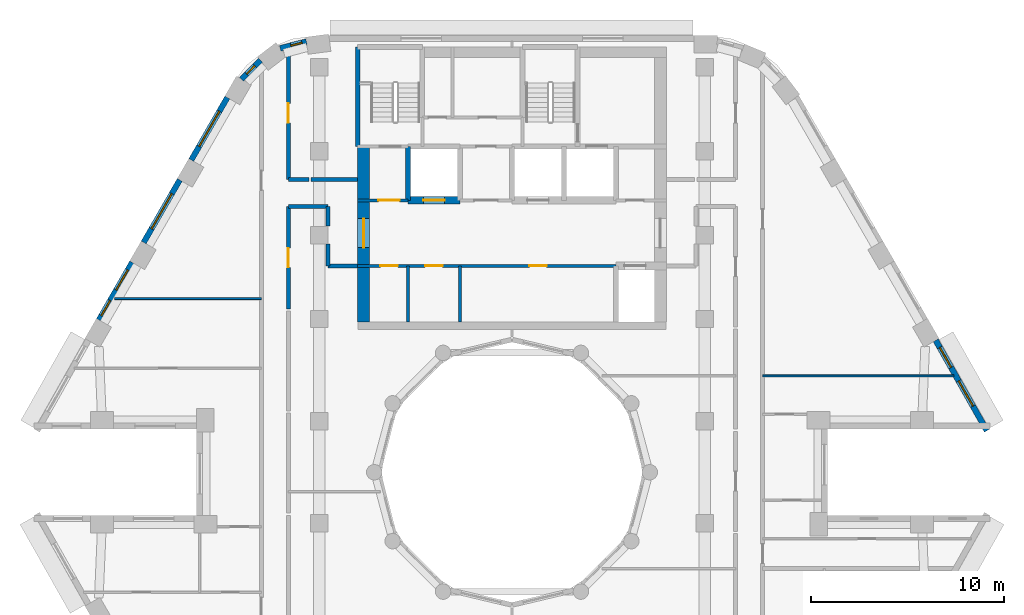
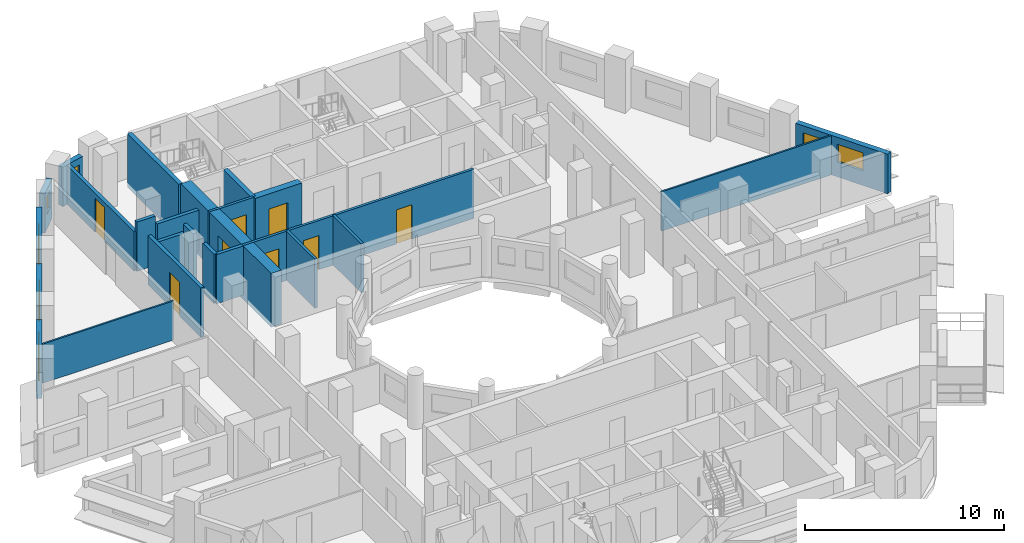
# One storey, part 7 of 15: 24 walls, 8 doors, 8 windows, 16 openings.
"""IFC4 building model written with IfcOpenShell, lengths in metres."""

from ifc_helpers import new_model, si_unit, direction, frame, frame_2d, origin, place, context, subcontext, project, spatial, rectangle, extrude, material, layer, layer_set, type_object, element, fill, save


model = new_model("IFC4")

# Units and contexts
model_context = context("Model", 3, precision=1e-05, world=origin(), true_north=direction((0.0, 1.0)))
body_context = subcontext(model_context, "Body", "Model", "MODEL_VIEW")
ifc_project = project(units=[si_unit("LENGTHUNIT", "METRE"), si_unit("AREAUNIT", "SQUARE_METRE"), si_unit("VOLUMEUNIT", "CUBIC_METRE"), si_unit("PLANEANGLEUNIT", "RADIAN"), si_unit("MASSUNIT", "GRAM", prefix="KILO")], contexts=[model_context])

# Site, building, storey
site_placement = place(None, origin())
site = spatial("IfcSite", under=ifc_project, at=site_placement, CompositionType="ELEMENT")
building_placement = place(site_placement, origin())
building = spatial("IfcBuilding", under=site, at=building_placement, Name="Nakaniwa Court", CompositionType="ELEMENT")
storey_placement = place(building_placement, frame((0.0, 0.0, 189.89990234375)))
storey = spatial("IfcBuildingStorey", under=building, at=storey_placement, Name="L49", CompositionType="ELEMENT", Elevation=189.89990234375)

# Walls
ifc_material_1 = material(Name="Acoustic double stud partition")
ifc_layer_1 = layer(ifc_material_1, 0.199951171875)
ifc_layer_set_1 = layer_set([ifc_layer_1], Name="Acoustic double stud partition")
wall_type_1 = type_object("IfcWallType", Name="Acoustic double stud partition 200", PredefinedType="PARTITIONING", material=ifc_layer_set_1)
wall_1_placement = place(storey_placement, frame((68.39990234375, 93.77490234375, 0.0), z_axis=(0.0, 0.0, 1.0), x_axis=(1.0, 0.0, 0.0)))
element("IfcWall", 1, at=wall_1_placement, inside=storey, type_object=wall_type_1, Name="Partition PW-087", PredefinedType="PARTITIONING", context=body_context, shape_type="SweptSolid", body=[
    extrude(rectangle(XDim=2.050048828125, YDim=0.199951171875, at=frame_2d((1.02490234375, 0.0))), origin(), (0.0, 0.0, 1.0), 2.505126953125),
])
wall_2_placement = place(storey_placement, frame((70.449951171875, 90.699951171875, 0.0), z_axis=(0.0, 0.0, 1.0), x_axis=(1.0, 0.0, 0.0)))
element("IfcWall", 2, at=wall_2_placement, inside=storey, type_object=wall_type_1, Name="Partition PW-089", PredefinedType="PARTITIONING", context=body_context, shape_type="SweptSolid", body=[
    extrude(rectangle(XDim=1.550048828125, YDim=0.199951171875, at=frame_2d((0.77490234375, 0.0))), origin(), (0.0, 0.0, 1.0), 3.025146484375),
])
wall_3_placement = place(storey_placement, frame((68.39990234375, 95.175048828125, 0.0), z_axis=(0.0, 0.0, 1.0), x_axis=(1.0, 0.0, 0.0)))
element("IfcWall", 3, at=wall_3_placement, inside=storey, type_object=wall_type_1, Name="Partition PW-091", PredefinedType="PARTITIONING", context=body_context, shape_type="SweptSolid", body=[
    extrude(rectangle(XDim=1.072998046875, YDim=0.199951171875, at=frame_2d((0.53662109375, 0.0))), origin(), (0.0, 0.0, 1.0), 3.025146484375),
])
wall_4_placement = place(storey_placement, frame((69.587158203125, 95.175048828125, 0.0), z_axis=(0.0, 0.0, 1.0), x_axis=(1.0, 0.0, 0.0)))
element("IfcWall", 4, at=wall_4_placement, inside=storey, type_object=wall_type_1, Name="Partition PW-092", PredefinedType="PARTITIONING", context=body_context, shape_type="SweptSolid", body=[
    extrude(rectangle(XDim=2.412841796875, YDim=0.199951171875, at=frame_2d((1.20654296875, 0.0))), origin(), (0.0, 0.0, 1.0), 2.505126953125),
])

# Wall, opening, door
wall_5_placement = place(storey_placement, frame((68.39990234375, 93.77490234375, 0.0), z_axis=(0.0, 0.0, 1.0), x_axis=(0.0, -1.0, 0.0)))
wall_5 = element("IfcWall", 5, at=wall_5_placement, inside=storey, type_object=wall_type_1, Name="Partition PW-100", PredefinedType="PARTITIONING", context=body_context, shape_type="SweptSolid", body=[
    extrude(rectangle(XDim=5.297607421875, YDim=0.199951171875, at=frame_2d((2.64892578125, 0.0))), origin(), (0.0, 0.0, 1.0), 3.025146484375),
])
opening_1_placement = place(wall_5_placement, frame((2.14794921875, 0.0, 0.0)))
opening_1 = element("IfcOpeningElement", 6, at=opening_1_placement, cuts=wall_5, Name="Opening D-02-07", PredefinedType="OPENING", context=body_context, shape_type="SweptSolid", body=[
    extrude(rectangle(XDim=1.0, YDim=2.10009765625, at=frame_2d((0.5, 1.050048828125))), frame((0.0, 0.10986328125, 0.0), z_axis=(0.0, -1.0, 0.0), x_axis=(1.0, 0.0, 0.0)), (0.0, 0.0, 1.0), 0.219970703125),
])
ifc_material_2 = material(Name="Solid core timber door set, black veneer", Category="wood")
door_type_1 = type_object("IfcDoorType", Name="Internal door 1000", OperationType="NOTDEFINED", PredefinedType="DOOR", material=ifc_material_2)
door_1_placement = place(opening_1_placement, origin())
door_1 = element("IfcDoor", 7, at=door_1_placement, inside=storey, type_object=door_type_1, Name="Door D-02-07 L49-047", OperationType="SINGLE_SWING_RIGHT", OverallHeight=2.10009765625, OverallWidth=1.0, PredefinedType="DOOR", context=body_context, shape_type="SweptSolid", body=[
    extrude(rectangle(XDim=1.0, YDim=2.10009765625, at=frame_2d((0.5, 1.050048828125))), frame((0.0, 0.02490234375, 0.0), z_axis=(0.0, -1.0, 0.0), x_axis=(1.0, 0.0, 0.0)), (0.0, 0.0, 1.0), 0.050048828125),
])
fill(opening_1, door_1)

wall_6_placement = place(storey_placement, frame((68.39990234375, 102.07373046875, 0.0), z_axis=(0.0, 0.0, 1.0), x_axis=(0.0, -1.0, 0.0)))
wall_6 = element("IfcWall", 8, at=wall_6_placement, inside=storey, type_object=wall_type_1, Name="Partition PW-101", PredefinedType="PARTITIONING", context=body_context, shape_type="SweptSolid", body=[
    extrude(rectangle(XDim=6.898681640625, YDim=0.199951171875, at=frame_2d((3.44921875, 0.0))), origin(), (0.0, 0.0, 1.0), 2.405029296875),
])
opening_2_placement = place(wall_6_placement, frame((2.948974609375, 0.0, 0.0)))
opening_2 = element("IfcOpeningElement", 9, at=opening_2_placement, cuts=wall_6, Name="Opening D-02-11", PredefinedType="OPENING", context=body_context, shape_type="SweptSolid", body=[
    extrude(rectangle(XDim=1.0, YDim=2.10009765625, at=frame_2d((0.5, 1.050048828125))), frame((0.0, 0.10986328125, 0.0), z_axis=(0.0, -1.0, 0.0), x_axis=(1.0, 0.0, 0.0)), (0.0, 0.0, 1.0), 0.219970703125),
])
door_2_placement = place(opening_2_placement, origin())
door_2 = element("IfcDoor", 10, at=door_2_placement, inside=storey, type_object=door_type_1, Name="Door D-02-11 L49-051", OperationType="SINGLE_SWING_RIGHT", OverallHeight=2.10009765625, OverallWidth=1.0, PredefinedType="DOOR", context=body_context, shape_type="SweptSolid", body=[
    extrude(rectangle(XDim=1.0, YDim=2.10009765625, at=frame_2d((0.5, 1.050048828125))), frame((0.0, 0.02490234375, 0.0), z_axis=(0.0, -1.0, 0.0), x_axis=(1.0, 0.0, 0.0)), (0.0, 0.0, 1.0), 0.050048828125),
])
fill(opening_2, door_2)

# Walls
wall_7_placement = place(storey_placement, frame((70.449951171875, 90.699951171875, 0.0), z_axis=(0.0, 0.0, 1.0), x_axis=(0.0, 1.0, 0.0)))
element("IfcWall", 11, at=wall_7_placement, inside=storey, type_object=wall_type_1, Name="Partition PW-105", PredefinedType="PARTITIONING", context=body_context, shape_type="SweptSolid", body=[
    extrude(rectangle(XDim=1.1328125, YDim=0.199951171875, at=frame_2d((0.56640625, 0.0))), origin(), (0.0, 0.0, 1.0), 3.025146484375),
])
wall_8_placement = place(storey_placement, frame((70.449951171875, 92.76708984375, 0.0), z_axis=(0.0, 0.0, 1.0), x_axis=(0.0, 1.0, 0.0)))
element("IfcWall", 12, at=wall_8_placement, inside=storey, type_object=wall_type_1, Name="Partition PW-106", PredefinedType="PARTITIONING", context=body_context, shape_type="SweptSolid", body=[
    extrude(rectangle(XDim=1.0078125, YDim=0.199951171875, at=frame_2d((0.50390625, 0.0))), origin(), (0.0, 0.0, 1.0), 3.025146484375),
])

# Wall, openings, windows
ifc_material_3 = material(Name="Charcoal ceramic cladding")
ifc_layer_2 = layer(ifc_material_3, 0.02, Name="Ceramic cladding")
ifc_material_4 = material(Name="Ventilated air cavity")
ifc_layer_3 = layer(ifc_material_4, 0.04, ventilated=True, Name="Ventilated cavity")
ifc_material_5 = material(Name="Mineral wool insulation")
ifc_layer_4 = layer(ifc_material_5, 0.1, Name="Insulation")
ifc_material_6 = material(Name="Cement bonded sheathing board")
ifc_layer_5 = layer(ifc_material_6, 0.012, Name="Sheathing")
ifc_material_7 = material(Name="Cold-formed galvanised stud frame with mineral wool infill")
ifc_layer_6 = layer(ifc_material_7, 0.1, Name="Stud frame")
ifc_material_8 = material(Name="Fire-rated gypsum plasterboard lining")
ifc_layer_7 = layer(ifc_material_8, 0.028, Name="Lining")
ifc_layer_set_2 = layer_set([ifc_layer_2, ifc_layer_3, ifc_layer_4, ifc_layer_5, ifc_layer_6, ifc_layer_7], Name="Charcoal ceramic faced external wall system")
wall_type_2 = type_object("IfcWallType", Name="Black ceramic faced external wall 300", PredefinedType="SOLIDWALL", material=ifc_layer_set_2)
wall_9_placement = place(storey_placement, frame((104.627197265625, 82.153564453125, 0.0), z_axis=(0.0, 0.0, 1.0), x_axis=(-0.492033360928, 0.870576344575, 0.0)))
wall_9 = element("IfcWall", 13, at=wall_9_placement, inside=storey, type_object=wall_type_2, Name="L49 external wall 02", PredefinedType="SOLIDWALL", context=body_context, shape_type="SweptSolid", body=[
    extrude(rectangle(XDim=5.38671875, YDim=0.300048828125, at=frame_2d((2.693359375, 0.0))), origin(), (0.0, 0.0, 1.0), 2.425048828125),
])
opening_3_placement = place(wall_9_placement, frame((1.46630859375, 0.0, 0.89990234375)))
opening_3 = element("IfcOpeningElement", 14, at=opening_3_placement, cuts=wall_9, Name="Opening W5.01", PredefinedType="OPENING", context=body_context, shape_type="SweptSolid", body=[
    extrude(rectangle(XDim=1.5, YDim=1.10009765625, at=frame_2d((0.75, 0.550048828125))), frame((0.0, 0.159912109375, 0.0), z_axis=(0.0, -1.0, 0.0), x_axis=(1.0, 0.0, 0.0)), (0.0, 0.0, 1.0), 0.320068359375),
])
opening_4_placement = place(wall_9_placement, frame((3.763427734375, 0.0, 0.89990234375)))
opening_4 = element("IfcOpeningElement", 15, at=opening_4_placement, cuts=wall_9, Name="Opening W6.02", PredefinedType="OPENING", context=body_context, shape_type="SweptSolid", body=[
    extrude(rectangle(XDim=1.199951171875, YDim=1.10009765625, at=frame_2d((0.60009765625, 0.550048828125))), frame((0.0, 0.159912109375, 0.0), z_axis=(0.0, -1.0, 0.0), x_axis=(1.0, 0.0, 0.0)), (0.0, 0.0, 1.0), 0.320068359375),
])
ifc_material_9 = material(Name="Black anodised aluminium frame with dark low-E laminated double glazing", Category="aluminium")
window_type_1 = type_object("IfcWindowType", Name="Dark glass window 1200x1100 sill 900", PartitioningType="SINGLE_PANEL", PredefinedType="WINDOW", material=ifc_material_9)
window_1_placement = place(opening_4_placement, origin())
window_1 = element("IfcWindow", 16, at=window_1_placement, inside=storey, type_object=window_type_1, Name="L49 habitable room window 02-1", OverallHeight=1.10009765625, OverallWidth=1.199951171875, PartitioningType="SINGLE_PANEL", PredefinedType="WINDOW", context=body_context, shape_type="SweptSolid", body=[
    extrude(rectangle(XDim=1.199951171875, YDim=1.10009765625, at=frame_2d((0.60009765625, 0.550048828125))), frame((0.0, 0.030029296875, 0.0), z_axis=(0.0, -1.0, 0.0), x_axis=(1.0, 0.0, 0.0)), (0.0, 0.0, 1.0), 0.06005859375),
])
fill(opening_4, window_1)
window_type_2 = type_object("IfcWindowType", Name="Dark glass window 1500x1100 sill 900", PartitioningType="SINGLE_PANEL", PredefinedType="WINDOW", material=ifc_material_9)
window_2_placement = place(opening_3_placement, origin())
window_2 = element("IfcWindow", 17, at=window_2_placement, inside=storey, type_object=window_type_2, Name="L49 habitable room window 02-0", OverallHeight=1.10009765625, OverallWidth=1.5, PartitioningType="SINGLE_PANEL", PredefinedType="WINDOW", context=body_context, shape_type="SweptSolid", body=[
    extrude(rectangle(XDim=1.5, YDim=1.10009765625, at=frame_2d((0.75, 0.550048828125))), frame((0.0, 0.030029296875, 0.0), z_axis=(0.0, -1.0, 0.0), x_axis=(1.0, 0.0, 0.0)), (0.0, 0.0, 1.0), 0.06005859375),
])
fill(opening_3, window_2)

# Wall, opening, window
wall_10_placement = place(storey_placement, frame((69.3359375, 102.333251953125, 0.0), z_axis=(0.0, 0.0, 1.0), x_axis=(-0.969037396898, -0.246914000036, 0.0)))
wall_10 = element("IfcWall", 18, at=wall_10_placement, inside=storey, type_object=wall_type_2, Name="L49 external wall 09", PredefinedType="SOLIDWALL", context=body_context, shape_type="SweptSolid", body=[
    extrude(rectangle(XDim=1.403076171875, YDim=0.300048828125, at=frame_2d((0.70166015625, 0.0))), origin(), (0.0, 0.0, 1.0), 2.425048828125),
])
opening_5_placement = place(wall_10_placement, frame((0.22900390625, 0.0, 0.89990234375)))
opening_5 = element("IfcOpeningElement", 19, at=opening_5_placement, cuts=wall_10, Name="Opening W8.10", PredefinedType="OPENING", context=body_context, shape_type="SweptSolid", body=[
    extrude(rectangle(XDim=0.60009765625, YDim=1.10009765625, at=frame_2d((0.300048828125, 0.550048828125))), frame((0.0, 0.159912109375, 0.0), z_axis=(0.0, -1.0, 0.0), x_axis=(1.0, 0.0, 0.0)), (0.0, 0.0, 1.0), 0.320068359375),
])
window_type_3 = type_object("IfcWindowType", Name="Dark glass window 600x1100 sill 900", PartitioningType="SINGLE_PANEL", PredefinedType="WINDOW", material=ifc_material_9)
window_3_placement = place(opening_5_placement, origin())
window_3 = element("IfcWindow", 20, at=window_3_placement, inside=storey, type_object=window_type_3, Name="L49 habitable room window 09-0", OverallHeight=1.10009765625, OverallWidth=0.60009765625, PartitioningType="SINGLE_PANEL", PredefinedType="WINDOW", context=body_context, shape_type="SweptSolid", body=[
    extrude(rectangle(XDim=0.60009765625, YDim=1.10009765625, at=frame_2d((0.300048828125, 0.550048828125))), frame((0.0, 0.030029296875, 0.0), z_axis=(0.0, -1.0, 0.0), x_axis=(1.0, 0.0, 0.0)), (0.0, 0.0, 1.0), 0.06005859375),
])
fill(opening_5, window_3)

wall_11_placement = place(storey_placement, frame((66.951904296875, 101.36328125, 0.0), z_axis=(0.0, 0.0, 1.0), x_axis=(-0.70869320446, -0.705516790695, 0.0)))
wall_11 = element("IfcWall", 21, at=wall_11_placement, inside=storey, type_object=wall_type_2, Name="L49 external wall 10", PredefinedType="SOLIDWALL", context=body_context, shape_type="SweptSolid", body=[
    extrude(rectangle(XDim=1.383544921875, YDim=0.300048828125, at=frame_2d((0.69189453125, 0.0))), origin(), (0.0, 0.0, 1.0), 2.425048828125),
])
opening_6_placement = place(wall_11_placement, frame((0.407958984375, 0.0, 0.89990234375)))
opening_6 = element("IfcOpeningElement", 22, at=opening_6_placement, cuts=wall_11, Name="Opening W8.11", PredefinedType="OPENING", context=body_context, shape_type="SweptSolid", body=[
    extrude(rectangle(XDim=0.60009765625, YDim=1.10009765625, at=frame_2d((0.300048828125, 0.550048828125))), frame((0.0, 0.159912109375, 0.0), z_axis=(0.0, -1.0, 0.0), x_axis=(1.0, 0.0, 0.0)), (0.0, 0.0, 1.0), 0.320068359375),
])
window_4_placement = place(opening_6_placement, origin())
window_4 = element("IfcWindow", 23, at=window_4_placement, inside=storey, type_object=window_type_3, Name="L49 habitable room window 10-1", OverallHeight=1.10009765625, OverallWidth=0.60009765625, PartitioningType="SINGLE_PANEL", PredefinedType="WINDOW", context=body_context, shape_type="SweptSolid", body=[
    extrude(rectangle(XDim=0.60009765625, YDim=1.10009765625, at=frame_2d((0.300048828125, 0.550048828125))), frame((0.0, 0.030029296875, 0.0), z_axis=(0.0, -1.0, 0.0), x_axis=(1.0, 0.0, 0.0)), (0.0, 0.0, 1.0), 0.06005859375),
])
fill(opening_6, window_4)

wall_12_placement = place(storey_placement, frame((65.239013671875, 99.433349609375, 0.0), z_axis=(0.0, 0.0, 1.0), x_axis=(-0.499982088007, -0.866035745032, 0.0)))
wall_12 = element("IfcWall", 24, at=wall_12_placement, inside=storey, type_object=wall_type_2, Name="L49 external wall 11", PredefinedType="SOLIDWALL", context=body_context, shape_type="SweptSolid", body=[
    extrude(rectangle(XDim=3.744384765625, YDim=0.300048828125, at=frame_2d((1.8720703125, 0.0))), origin(), (0.0, 0.0, 1.0), 2.425048828125),
])
opening_7_placement = place(wall_12_placement, frame((0.822021484375, 0.0, 0.89990234375)))
opening_7 = element("IfcOpeningElement", 25, at=opening_7_placement, cuts=wall_12, Name="Opening W7.12", PredefinedType="OPENING", context=body_context, shape_type="SweptSolid", body=[
    extrude(rectangle(XDim=2.10009765625, YDim=1.10009765625, at=frame_2d((1.050048828125, 0.550048828125))), frame((0.0, 0.159912109375, 0.0), z_axis=(0.0, -1.0, 0.0), x_axis=(1.0, 0.0, 0.0)), (0.0, 0.0, 1.0), 0.320068359375),
])
window_type_4 = type_object("IfcWindowType", Name="Dark glass window 2100x1100 sill 900", PartitioningType="SINGLE_PANEL", PredefinedType="WINDOW", material=ifc_material_9)
window_5_placement = place(opening_7_placement, origin())
window_5 = element("IfcWindow", 26, at=window_5_placement, inside=storey, type_object=window_type_4, Name="L49 habitable room window 11-0", OverallHeight=1.10009765625, OverallWidth=2.10009765625, PartitioningType="SINGLE_PANEL", PredefinedType="WINDOW", context=body_context, shape_type="SweptSolid", body=[
    extrude(rectangle(XDim=2.10009765625, YDim=1.10009765625, at=frame_2d((1.050048828125, 0.550048828125))), frame((0.0, 0.030029296875, 0.0), z_axis=(0.0, -1.0, 0.0), x_axis=(1.0, 0.0, 0.0)), (0.0, 0.0, 1.0), 0.06005859375),
])
fill(opening_7, window_5)

wall_13_placement = place(storey_placement, frame((62.77099609375, 95.158447265625, 0.0), z_axis=(0.0, 0.0, 1.0), x_axis=(-0.500059225181, -0.86599120741, 0.0)))
wall_13 = element("IfcWall", 27, at=wall_13_placement, inside=storey, type_object=wall_type_2, Name="L49 external wall 12", PredefinedType="SOLIDWALL", context=body_context, shape_type="SweptSolid", body=[
    extrude(rectangle(XDim=3.744140625, YDim=0.300048828125, at=frame_2d((1.8720703125, 0.0))), origin(), (0.0, 0.0, 1.0), 2.425048828125),
])
opening_8_placement = place(wall_13_placement, frame((0.822021484375, 0.0, 0.89990234375)))
opening_8 = element("IfcOpeningElement", 28, at=opening_8_placement, cuts=wall_13, Name="Opening W7.13", PredefinedType="OPENING", context=body_context, shape_type="SweptSolid", body=[
    extrude(rectangle(XDim=2.10009765625, YDim=1.10009765625, at=frame_2d((1.050048828125, 0.550048828125))), frame((0.0, 0.159912109375, 0.0), z_axis=(0.0, -1.0, 0.0), x_axis=(1.0, 0.0, 0.0)), (0.0, 0.0, 1.0), 0.320068359375),
])
window_6_placement = place(opening_8_placement, origin())
window_6 = element("IfcWindow", 29, at=window_6_placement, inside=storey, type_object=window_type_4, Name="L49 habitable room window 12-0", OverallHeight=1.10009765625, OverallWidth=2.10009765625, PartitioningType="SINGLE_PANEL", PredefinedType="WINDOW", context=body_context, shape_type="SweptSolid", body=[
    extrude(rectangle(XDim=2.10009765625, YDim=1.10009765625, at=frame_2d((1.050048828125, 0.550048828125))), frame((0.0, 0.030029296875, 0.0), z_axis=(0.0, -1.0, 0.0), x_axis=(1.0, 0.0, 0.0)), (0.0, 0.0, 1.0), 0.06005859375),
])
fill(opening_8, window_6)

# Wall, openings, windows
wall_14_placement = place(storey_placement, frame((60.302734375, 90.883544921875, 0.0), z_axis=(0.0, 0.0, 1.0), x_axis=(-0.499955427682, -0.866051136095, 0.0)))
wall_14 = element("IfcWall", 30, at=wall_14_placement, inside=storey, type_object=wall_type_2, Name="L49 external wall 13", PredefinedType="SOLIDWALL", context=body_context, shape_type="SweptSolid", body=[
    extrude(rectangle(XDim=3.447021484375, YDim=0.300048828125, at=frame_2d((1.7236328125, 0.0))), origin(), (0.0, 0.0, 1.0), 2.425048828125),
])
opening_9_placement = place(wall_14_placement, frame((0.450439453125, 0.0, 0.89990234375)))
opening_9 = element("IfcOpeningElement", 31, at=opening_9_placement, cuts=wall_14, Name="Opening W6.14", PredefinedType="OPENING", context=body_context, shape_type="SweptSolid", body=[
    extrude(rectangle(XDim=1.199951171875, YDim=1.10009765625, at=frame_2d((0.60009765625, 0.550048828125))), frame((0.0, 0.159912109375, 0.0), z_axis=(0.0, -1.0, 0.0), x_axis=(1.0, 0.0, 0.0)), (0.0, 0.0, 1.0), 0.320068359375),
])
opening_10_placement = place(wall_14_placement, frame((2.286865234375, 0.0, 0.89990234375)))
opening_10 = element("IfcOpeningElement", 32, at=opening_10_placement, cuts=wall_14, Name="Opening W9.15", PredefinedType="OPENING", context=body_context, shape_type="SweptSolid", body=[
    extrude(rectangle(XDim=0.89990234375, YDim=1.10009765625, at=frame_2d((0.449951171875, 0.550048828125))), frame((0.0, 0.159912109375, 0.0), z_axis=(0.0, -1.0, 0.0), x_axis=(1.0, 0.0, 0.0)), (0.0, 0.0, 1.0), 0.320068359375),
])
window_7_placement = place(opening_9_placement, origin())
window_7 = element("IfcWindow", 33, at=window_7_placement, inside=storey, type_object=window_type_1, Name="L49 habitable room window 13-0", OverallHeight=1.10009765625, OverallWidth=1.199951171875, PartitioningType="SINGLE_PANEL", PredefinedType="WINDOW", context=body_context, shape_type="SweptSolid", body=[
    extrude(rectangle(XDim=1.199951171875, YDim=1.10009765625, at=frame_2d((0.60009765625, 0.550048828125))), frame((0.0, 0.030029296875, 0.0), z_axis=(0.0, -1.0, 0.0), x_axis=(1.0, 0.0, 0.0)), (0.0, 0.0, 1.0), 0.06005859375),
])
fill(opening_9, window_7)
window_type_5 = type_object("IfcWindowType", Name="Dark glass window 900x1100 sill 900", PartitioningType="SINGLE_PANEL", PredefinedType="WINDOW", material=ifc_material_9)
window_8_placement = place(opening_10_placement, origin())
window_8 = element("IfcWindow", 34, at=window_8_placement, inside=storey, type_object=window_type_5, Name="L49 habitable room window 13-1", OverallHeight=1.10009765625, OverallWidth=0.89990234375, PartitioningType="SINGLE_PANEL", PredefinedType="WINDOW", context=body_context, shape_type="SweptSolid", body=[
    extrude(rectangle(XDim=0.89990234375, YDim=1.10009765625, at=frame_2d((0.449951171875, 0.550048828125))), frame((0.0, 0.030029296875, 0.0), z_axis=(0.0, -1.0, 0.0), x_axis=(1.0, 0.0, 0.0)), (0.0, 0.0, 1.0), 0.06005859375),
])
fill(opening_10, window_8)

# Wall
ifc_material_10 = material(Name="Blockwork partition", Category="masonry")
ifc_layer_8 = layer(ifc_material_10, 0.14990234375)
ifc_layer_set_3 = layer_set([ifc_layer_8], Name="Blockwork partition")
wall_type_3 = type_object("IfcWallType", Name="Blockwork partition 150", PredefinedType="PARTITIONING", material=ifc_layer_set_3)
wall_15_placement = place(storey_placement, frame((74.60009765625, 87.800048828125, 0.0), z_axis=(0.0, 0.0, 1.0), x_axis=(0.0, 1.0, 0.0)))
element("IfcWall", 35, at=wall_15_placement, inside=storey, type_object=wall_type_3, Name="Partition PW-001", PredefinedType="PARTITIONING", context=body_context, shape_type="SweptSolid", body=[
    extrude(rectangle(XDim=2.89990234375, YDim=0.14990234375, at=frame_2d((1.449951171875, 0.0))), origin(), (0.0, 0.0, 1.0), 3.025146484375),
])

# Wall, openings, doors
wall_16_placement = place(storey_placement, frame((85.39990234375, 90.699951171875, 0.0), z_axis=(0.0, 0.0, 1.0), x_axis=(-1.0, 0.0, 0.0)))
wall_16 = element("IfcWall", 36, at=wall_16_placement, inside=storey, type_object=wall_type_3, Name="Partition PW-002", PredefinedType="PARTITIONING", context=body_context, shape_type="SweptSolid", body=[
    extrude(rectangle(XDim=13.39990234375, YDim=0.14990234375, at=frame_2d((6.699951171875, 0.0))), origin(), (0.0, 0.0, 1.0), 3.025146484375),
])
opening_11_placement = place(wall_16_placement, frame((11.324951171875, 0.0, 0.0)))
opening_11 = element("IfcOpeningElement", 37, at=opening_11_placement, cuts=wall_16, Name="Opening D-05-01", PredefinedType="OPENING", context=body_context, shape_type="SweptSolid", body=[
    extrude(rectangle(XDim=0.89990234375, YDim=2.10009765625, at=frame_2d((0.449951171875, 1.050048828125))), frame((0.0, 0.0849609375, 0.0), z_axis=(0.0, -1.0, 0.0), x_axis=(1.0, 0.0, 0.0)), (0.0, 0.0, 1.0), 0.169921875),
])
opening_12_placement = place(wall_16_placement, frame((9.0, 0.0, 0.0)))
opening_12 = element("IfcOpeningElement", 38, at=opening_12_placement, cuts=wall_16, Name="Opening D-05-02", PredefinedType="OPENING", context=body_context, shape_type="SweptSolid", body=[
    extrude(rectangle(XDim=0.89990234375, YDim=2.10009765625, at=frame_2d((0.449951171875, 1.050048828125))), frame((0.0, 0.0849609375, 0.0), z_axis=(0.0, -1.0, 0.0), x_axis=(1.0, 0.0, 0.0)), (0.0, 0.0, 1.0), 0.169921875),
])
opening_13_placement = place(wall_16_placement, frame((3.60009765625, 0.0, 0.0)))
opening_13 = element("IfcOpeningElement", 39, at=opening_13_placement, cuts=wall_16, Name="Opening D-05-03", PredefinedType="OPENING", context=body_context, shape_type="SweptSolid", body=[
    extrude(rectangle(XDim=0.89990234375, YDim=2.10009765625, at=frame_2d((0.449951171875, 1.050048828125))), frame((0.0, 0.0849609375, 0.0), z_axis=(0.0, -1.0, 0.0), x_axis=(1.0, 0.0, 0.0)), (0.0, 0.0, 1.0), 0.169921875),
])
ifc_material_11 = material(Name="Fire rated steel door set", Category="steel")
door_type_2 = type_object("IfcDoorType", Name="Service room door 900", OperationType="NOTDEFINED", PredefinedType="DOOR", material=ifc_material_11)
door_3_placement = place(opening_11_placement, origin())
door_3 = element("IfcDoor", 40, at=door_3_placement, inside=storey, type_object=door_type_2, Name="Door D-05-01 L49-001", OperationType="SINGLE_SWING_RIGHT", OverallHeight=2.10009765625, OverallWidth=0.89990234375, PredefinedType="DOOR", context=body_context, shape_type="SweptSolid", body=[
    extrude(rectangle(XDim=0.89990234375, YDim=2.10009765625, at=frame_2d((0.449951171875, 1.050048828125))), frame((0.0, 0.02490234375, 0.0), z_axis=(0.0, -1.0, 0.0), x_axis=(1.0, 0.0, 0.0)), (0.0, 0.0, 1.0), 0.050048828125),
])
fill(opening_11, door_3)
door_4_placement = place(opening_12_placement, origin())
door_4 = element("IfcDoor", 41, at=door_4_placement, inside=storey, type_object=door_type_2, Name="Door D-05-02 L49-002", OperationType="SINGLE_SWING_LEFT", OverallHeight=2.10009765625, OverallWidth=0.89990234375, PredefinedType="DOOR", context=body_context, shape_type="SweptSolid", body=[
    extrude(rectangle(XDim=0.89990234375, YDim=2.10009765625, at=frame_2d((0.449951171875, 1.050048828125))), frame((0.0, 0.02490234375, 0.0), z_axis=(0.0, -1.0, 0.0), x_axis=(1.0, 0.0, 0.0)), (0.0, 0.0, 1.0), 0.050048828125),
])
fill(opening_12, door_4)
door_5_placement = place(opening_13_placement, origin())
door_5 = element("IfcDoor", 42, at=door_5_placement, inside=storey, type_object=door_type_2, Name="Door D-05-03 L49-003", OperationType="SINGLE_SWING_RIGHT", OverallHeight=2.10009765625, OverallWidth=0.89990234375, PredefinedType="DOOR", context=body_context, shape_type="SweptSolid", body=[
    extrude(rectangle(XDim=0.89990234375, YDim=2.10009765625, at=frame_2d((0.449951171875, 1.050048828125))), frame((0.0, 0.02490234375, 0.0), z_axis=(0.0, -1.0, 0.0), x_axis=(1.0, 0.0, 0.0)), (0.0, 0.0, 1.0), 0.050048828125),
])
fill(opening_13, door_5)

# Wall
wall_17_placement = place(storey_placement, frame((77.300048828125, 87.800048828125, 0.0), z_axis=(0.0, 0.0, 1.0), x_axis=(0.0, 1.0, 0.0)))
element("IfcWall", 43, at=wall_17_placement, inside=storey, type_object=wall_type_3, Name="Partition PW-008", PredefinedType="PARTITIONING", context=body_context, shape_type="SweptSolid", body=[
    extrude(rectangle(XDim=2.89990234375, YDim=0.14990234375, at=frame_2d((1.449951171875, 0.0))), origin(), (0.0, 0.0, 1.0), 3.025146484375),
])

# Wall, opening, door
wall_18_placement = place(storey_placement, frame((72.0, 94.10009765625, 0.0), z_axis=(0.0, 0.0, 1.0), x_axis=(1.0, 0.0, 0.0)))
wall_18 = element("IfcWall", 44, at=wall_18_placement, inside=storey, type_object=wall_type_3, Name="Partition PW-009", PredefinedType="PARTITIONING", context=body_context, shape_type="SweptSolid", body=[
    extrude(rectangle(XDim=2.60302734375, YDim=0.14990234375, at=frame_2d((1.301513671875, 0.0))), origin(), (0.0, 0.0, 1.0), 3.025146484375),
])
opening_14_placement = place(wall_18_placement, frame((1.074951171875, 0.0, 0.0)))
opening_14 = element("IfcOpeningElement", 45, at=opening_14_placement, cuts=wall_18, Name="Opening D-08-01", PredefinedType="OPENING", context=body_context, shape_type="SweptSolid", body=[
    extrude(rectangle(XDim=1.10009765625, YDim=2.10009765625, at=frame_2d((0.550048828125, 1.050048828125))), frame((0.0, 0.0849609375, 0.0), z_axis=(0.0, -1.0, 0.0), x_axis=(1.0, 0.0, 0.0)), (0.0, 0.0, 1.0), 0.169921875),
])
door_type_3 = type_object("IfcDoorType", Name="Stair lobby door 1100", OperationType="NOTDEFINED", PredefinedType="DOOR", material=ifc_material_11)
door_6_placement = place(opening_14_placement, origin())
door_6 = element("IfcDoor", 46, at=door_6_placement, inside=storey, type_object=door_type_3, Name="Door D-08-01 L49-004", OperationType="SINGLE_SWING_LEFT", OverallHeight=2.10009765625, OverallWidth=1.10009765625, PredefinedType="DOOR", context=body_context, shape_type="SweptSolid", body=[
    extrude(rectangle(XDim=1.10009765625, YDim=2.10009765625, at=frame_2d((0.550048828125, 1.050048828125))), frame((0.0, 0.02490234375, 0.0), z_axis=(0.0, -1.0, 0.0), x_axis=(1.0, 0.0, 0.0)), (0.0, 0.0, 1.0), 0.050048828125),
])
fill(opening_14, door_6)

ifc_material_12 = material(Name="Concrete C80/100", Category="concrete")
ifc_layer_9 = layer(ifc_material_12, 0.60009765625)
ifc_layer_set_4 = layer_set([ifc_layer_9], Name="Concrete C80/100")
wall_type_4 = type_object("IfcWallType", Name="Concrete core side wall 600 C80", PredefinedType="SHEAR", material=ifc_layer_set_4)
wall_19_placement = place(storey_placement, frame((72.300048828125, 87.800048828125, -0.27490234375), z_axis=(0.0, 0.0, 1.0), x_axis=(0.0, 1.0, 0.0)))
wall_19 = element("IfcWall", 47, at=wall_19_placement, inside=storey, type_object=wall_type_4, Name="Core wall SW-03", PredefinedType="SHEAR", context=body_context, shape_type="SweptSolid", body=[
    extrude(rectangle(XDim=9.099853515625, YDim=0.60009765625, at=frame_2d((4.5498046875, 0.0))), origin(), (0.0, 0.0, 1.0), 3.300048828125),
])
opening_15_placement = place(wall_19_placement, frame((3.85205078125, 0.0, 0.27490234375)))
opening_15 = element("IfcOpeningElement", 48, at=opening_15_placement, cuts=wall_19, Name="Opening D-07-02", PredefinedType="OPENING", context=body_context, shape_type="SweptSolid", body=[
    extrude(rectangle(XDim=1.5, YDim=2.10009765625, at=frame_2d((0.75, 1.050048828125))), frame((0.0, 0.31005859375, 0.0), z_axis=(0.0, -1.0, 0.0), x_axis=(1.0, 0.0, 0.0)), (0.0, 0.0, 1.0), 0.6201171875),
])
ifc_material_13 = material(Name="Glazed fire rated steel double door set", Category="steel")
door_type_4 = type_object("IfcDoorType", Name="Lobby double door 1500", OperationType="NOTDEFINED", PredefinedType="DOOR", material=ifc_material_13)
door_7_placement = place(opening_15_placement, origin())
door_7 = element("IfcDoor", 49, at=door_7_placement, inside=storey, type_object=door_type_4, Name="Door D-07-02 L49-053", OperationType="DOUBLE_DOOR_SINGLE_SWING", OverallHeight=2.10009765625, OverallWidth=1.5, PredefinedType="DOOR", context=body_context, shape_type="SweptSolid", body=[
    extrude(rectangle(XDim=1.5, YDim=2.10009765625, at=frame_2d((0.75, 1.050048828125))), frame((0.0, 0.02490234375, 0.0), z_axis=(0.0, -1.0, 0.0), x_axis=(1.0, 0.0, 0.0)), (0.0, 0.0, 1.0), 0.050048828125),
])
fill(opening_15, door_7)

ifc_layer_10 = layer(ifc_material_12, 0.39990234375)
ifc_layer_set_5 = layer_set([ifc_layer_10], Name="Concrete C80/100")
wall_type_5 = type_object("IfcWallType", Name="Concrete core spine wall 400 C80", PredefinedType="SHEAR", material=ifc_layer_set_5)
wall_20_placement = place(storey_placement, frame((74.596923828125, 94.10009765625, -0.27490234375), z_axis=(0.0, 0.0, 1.0), x_axis=(1.0, 0.0, 0.0)))
wall_20 = element("IfcWall", 50, at=wall_20_placement, inside=storey, type_object=wall_type_5, Name="Core wall SW-12", PredefinedType="SHEAR", context=body_context, shape_type="SweptSolid", body=[
    extrude(rectangle(XDim=2.7060546875, YDim=0.39990234375, at=frame_2d((1.35302734375, 0.0))), origin(), (0.0, 0.0, 1.0), 3.300048828125),
])
opening_16_placement = place(wall_20_placement, frame((0.802978515625, 0.0, 0.27490234375)))
opening_16 = element("IfcOpeningElement", 51, at=opening_16_placement, cuts=wall_20, Name="Opening LD02", PredefinedType="OPENING", context=body_context, shape_type="SweptSolid", body=[
    extrude(rectangle(XDim=1.10009765625, YDim=2.10009765625, at=frame_2d((0.550048828125, 1.050048828125))), frame((0.0, 0.2099609375, 0.0), z_axis=(0.0, -1.0, 0.0), x_axis=(1.0, 0.0, 0.0)), (0.0, 0.0, 1.0), 0.419921875),
])
ifc_material_14 = material(Name="Stainless steel sliding lift landing door", Category="steel")
door_type_5 = type_object("IfcDoorType", Name="Lift landing door 1100", OperationType="NOTDEFINED", PredefinedType="DOOR", material=ifc_material_14)
door_8_placement = place(opening_16_placement, origin())
door_8 = element("IfcDoor", 52, at=door_8_placement, inside=storey, type_object=door_type_5, Name="Lift landing door LD02 L49-002", OperationType="SLIDING_TO_LEFT", OverallHeight=2.10009765625, OverallWidth=1.10009765625, PredefinedType="DOOR", context=body_context, shape_type="SweptSolid", body=[
    extrude(rectangle(XDim=1.10009765625, YDim=2.10009765625, at=frame_2d((0.550048828125, 1.050048828125))), frame((0.0, 0.02490234375, 0.0), z_axis=(0.0, -1.0, 0.0), x_axis=(1.0, 0.0, 0.0)), (0.0, 0.0, 1.0), 0.050048828125),
])
fill(opening_16, door_8)

# Walls
ifc_layer_11 = layer(ifc_material_12, 0.25)
ifc_layer_set_6 = layer_set([ifc_layer_11], Name="Concrete C80/100")
wall_type_6 = type_object("IfcWallType", Name="Concrete core wall 250 C80", PredefinedType="SHEAR", material=ifc_layer_set_6)
wall_21_placement = place(storey_placement, frame((72.0, 96.89990234375, -0.27490234375), z_axis=(0.0, 0.0, 1.0), x_axis=(0.0, 1.0, 0.0)))
element("IfcWall", 53, at=wall_21_placement, inside=storey, type_object=wall_type_6, Name="Core wall SW-26", PredefinedType="SHEAR", context=body_context, shape_type="SweptSolid", body=[
    extrude(rectangle(XDim=5.150146484375, YDim=0.25, at=frame_2d((2.5751953125, 0.0))), origin(), (0.0, 0.0, 1.0), 3.300048828125),
])
ifc_layer_12 = layer(ifc_material_12, 0.25)
ifc_layer_set_7 = layer_set([ifc_layer_12], Name="Concrete C80/100")
wall_type_7 = type_object("IfcWallType", Name="Concrete shaft wall 250 C80", PredefinedType="SHEAR", material=ifc_layer_set_7)
wall_22_placement = place(storey_placement, frame((74.60009765625, 94.10009765625, -0.27490234375), z_axis=(0.0, 0.0, 1.0), x_axis=(0.0, 1.0, 0.0)))
element("IfcWall", 54, at=wall_22_placement, inside=storey, type_object=wall_type_7, Name="Core wall SW-14", PredefinedType="SHEAR", context=body_context, shape_type="SweptSolid", body=[
    extrude(rectangle(XDim=2.7998046875, YDim=0.25, at=frame_2d((1.39990234375, 0.0))), origin(), (0.0, 0.0, 1.0), 3.300048828125),
])
ifc_material_15 = material(Name="Single stud plasterboard partition")
ifc_layer_13 = layer(ifc_material_15, 0.10009765625)
ifc_layer_set_8 = layer_set([ifc_layer_13], Name="Single stud plasterboard partition")
wall_type_8 = type_object("IfcWallType", Name="Single stud plasterboard partition 100", PredefinedType="PARTITIONING", material=ifc_layer_set_8)
wall_23_placement = place(storey_placement, frame((93.0009765625, 85.0, 0.0), z_axis=(0.0, 0.0, 1.0), x_axis=(1.0, 0.0, 0.0)))
element("IfcWall", 55, at=wall_23_placement, inside=storey, type_object=wall_type_8, Name="Partition PW-119", PredefinedType="PARTITIONING", context=body_context, shape_type="SweptSolid", body=[
    extrude(rectangle(XDim=9.919921875, YDim=0.10009765625, at=frame_2d((4.9599609375, 0.0))), origin(), (0.0, 0.0, 1.0), 2.405029296875),
])
wall_24_placement = place(storey_placement, frame((59.388671875, 89.0, 0.0), z_axis=(0.0, 0.0, 1.0), x_axis=(1.0, 0.0, 0.0)))
element("IfcWall", 56, at=wall_24_placement, inside=storey, type_object=wall_type_8, Name="Partition PW-131", PredefinedType="PARTITIONING", context=body_context, shape_type="SweptSolid", body=[
    extrude(rectangle(XDim=7.6103515625, YDim=0.10009765625, at=frame_2d((3.80517578125, 0.0))), origin(), (0.0, 0.0, 1.0), 2.405029296875),
])

save(model, "model.ifc")
